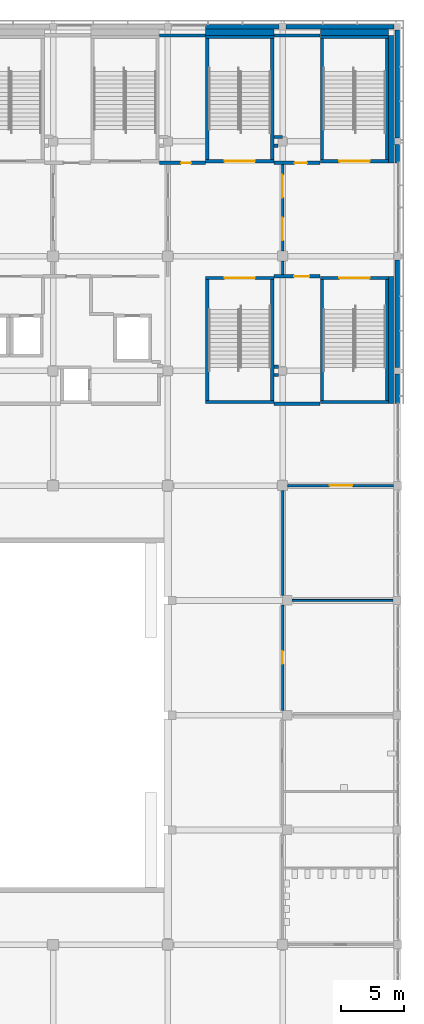
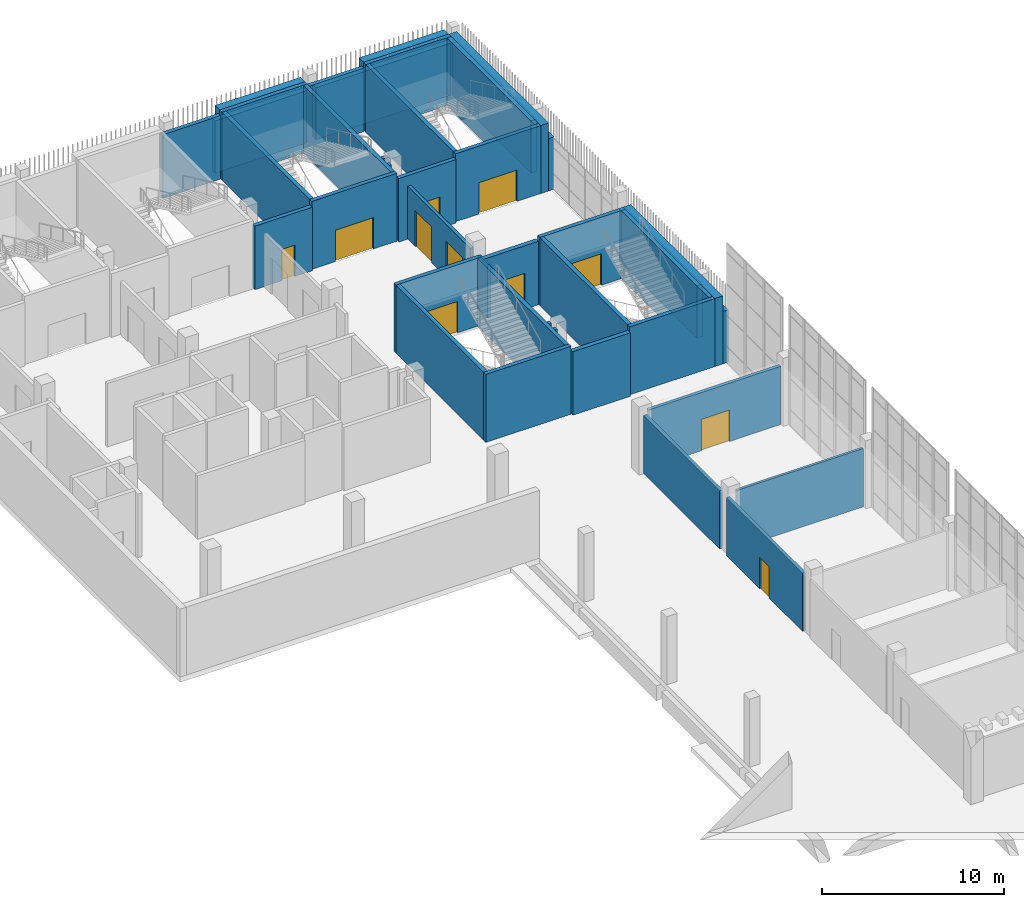
# One storey, part 88 of 126: 42 walls, 11 doors, 11 openings.
"""IFC4 building model written with IfcOpenShell, lengths in metres."""

from ifc_helpers import new_model, si_unit, direction, frame, frame_2d, origin, place, context, subcontext, project, spatial, rectangle, extrude, material, layer, layer_set, type_object, element, fill, save


model = new_model("IFC4")

# Units and contexts
model_context = context("Model", 3, precision=1e-05, world=origin(), true_north=direction((0.0, 1.0)))
body_context = subcontext(model_context, "Body", "Model", "MODEL_VIEW")
ifc_project = project(units=[si_unit("LENGTHUNIT", "METRE"), si_unit("AREAUNIT", "SQUARE_METRE"), si_unit("VOLUMEUNIT", "CUBIC_METRE"), si_unit("PLANEANGLEUNIT", "RADIAN"), si_unit("MASSUNIT", "GRAM", prefix="KILO")], contexts=[model_context])

# Site, building, storey
site_placement = place(None, origin())
site = spatial("IfcSite", under=ifc_project, at=site_placement, CompositionType="ELEMENT")
building_placement = place(site_placement, origin())
building = spatial("IfcBuilding", under=site, at=building_placement, Name="Shirokan Park Arena", CompositionType="ELEMENT")
storey_placement = place(building_placement, frame((0.0, 0.0, 6.3701171875)))
storey = spatial("IfcBuildingStorey", under=building, at=storey_placement, Name="L01", CompositionType="ELEMENT", Elevation=6.3701171875)

# Wall, opening, door
ifc_material_1 = material(Name="Plaster")
ifc_layer_1 = layer(ifc_material_1, 0.014892578125, Name="Plaster")
ifc_material_2 = material(Name="Concrete blockwork", Category="masonry")
ifc_layer_2 = layer(ifc_material_2, 0.219970703125, Name="Concrete blockwork 220")
ifc_layer_3 = layer(ifc_material_1, 0.014892578125, Name="Plaster")
ifc_layer_set_1 = layer_set([ifc_layer_1, ifc_layer_2, ifc_layer_3], Name="Plaster + Concrete blockwork 220")
wall_type_1 = type_object("IfcWallType", Name="Compartment wall 250", PredefinedType="SOLIDWALL", material=ifc_layer_set_1)
wall_1_placement = place(storey_placement, frame((126.72998046875, 98.39990234375, 0.0), z_axis=(0.0, 0.0, 1.0), x_axis=(1.0, 0.0, 0.0)))
wall_1 = element("IfcWall", 1, at=wall_1_placement, inside=storey, type_object=wall_type_1, Name="Compartment wall 250 L01", PredefinedType="SOLIDWALL", context=body_context, shape_type="SweptSolid", body=[
    extrude(rectangle(XDim=3.64013671875, YDim=0.25, at=frame_2d((1.820068359375, 0.0))), origin(), (0.0, 0.0, 1.0), 4.25),
])
opening_1_placement = place(wall_1_placement, frame((1.719970703125, 0.0, 0.0)))
opening_1 = element("IfcOpeningElement", 2, at=opening_1_placement, cuts=wall_1, Name="Opening D-1021", PredefinedType="OPENING", context=body_context, shape_type="SweptSolid", body=[
    extrude(rectangle(XDim=0.800048828125, YDim=2.10009765625, at=frame_2d((0.39990234375, 1.050048828125))), frame((0.0, 0.135009765625, 0.0), z_axis=(0.0, -1.0, 0.0), x_axis=(1.0, 0.0, 0.0)), (0.0, 0.0, 1.0), 0.27001953125),
])
ifc_material_3 = material(Name="Timber door set, fire resisting", Category="wood")
door_type_1 = type_object("IfcDoorType", Name="Cleaner store door 800 x 2100", OperationType="SINGLE_SWING_LEFT", PredefinedType="DOOR", material=ifc_material_3)
door_1_placement = place(opening_1_placement, origin())
door_1 = element("IfcDoor", 3, at=door_1_placement, inside=storey, type_object=door_type_1, Name="Door to Cleaner's Store 1.31 D-1021", OperationType="SINGLE_SWING_RIGHT", OverallHeight=2.10009765625, OverallWidth=0.800048828125, PredefinedType="DOOR", context=body_context, shape_type="SweptSolid", body=[
    extrude(rectangle(XDim=0.800048828125, YDim=2.10009765625, at=frame_2d((0.39990234375, 1.050048828125))), frame((0.0, 0.02490234375, 0.0), z_axis=(0.0, -1.0, 0.0), x_axis=(1.0, 0.0, 0.0)), (0.0, 0.0, 1.0), 0.050048828125),
])
fill(opening_1, door_1)

# Wall
wall_2_placement = place(storey_placement, frame((126.72998046875, 108.5, 0.0), z_axis=(0.0, 0.0, 1.0), x_axis=(1.0, 0.0, 0.0)))
element("IfcWall", 4, at=wall_2_placement, inside=storey, type_object=wall_type_1, Name="Compartment wall 250 L01", PredefinedType="SOLIDWALL", context=body_context, shape_type="SweptSolid", body=[
    extrude(rectangle(XDim=3.64013671875, YDim=0.25, at=frame_2d((1.820068359375, 0.0))), origin(), (0.0, 0.0, 1.0), 4.25),
])

# Wall, opening, door
wall_3_placement = place(storey_placement, frame((135.830078125, 98.39990234375, 0.0), z_axis=(0.0, 0.0, 1.0), x_axis=(1.0, 0.0, 0.0)))
wall_3 = element("IfcWall", 5, at=wall_3_placement, inside=storey, type_object=wall_type_1, Name="Compartment wall 250 L01", PredefinedType="SOLIDWALL", context=body_context, shape_type="SweptSolid", body=[
    extrude(rectangle(XDim=3.639892578125, YDim=0.25, at=frame_2d((1.81982421875, 0.0))), origin(), (0.0, 0.0, 1.0), 4.25),
])
opening_2_placement = place(wall_3_placement, frame((1.6201171875, 0.0, 0.0)))
opening_2 = element("IfcOpeningElement", 6, at=opening_2_placement, cuts=wall_3, Name="Opening D-1020", PredefinedType="OPENING", context=body_context, shape_type="SweptSolid", body=[
    extrude(rectangle(XDim=1.0, YDim=2.10009765625, at=frame_2d((0.5, 1.050048828125))), frame((0.0, 0.135009765625, 0.0), z_axis=(0.0, -1.0, 0.0), x_axis=(1.0, 0.0, 0.0)), (0.0, 0.0, 1.0), 0.27001953125),
])
door_type_2 = type_object("IfcDoorType", Name="Door 1000 x 2100", OperationType="SINGLE_SWING_LEFT", PredefinedType="DOOR", material=ifc_material_3)
door_2_placement = place(opening_2_placement, origin())
door_2 = element("IfcDoor", 7, at=door_2_placement, inside=storey, type_object=door_type_2, Name="Door to First Aid Store 1.30 D-1020", OperationType="SINGLE_SWING_RIGHT", OverallHeight=2.10009765625, OverallWidth=1.0, PredefinedType="DOOR", context=body_context, shape_type="SweptSolid", body=[
    extrude(rectangle(XDim=1.0, YDim=2.10009765625, at=frame_2d((0.5, 1.050048828125))), frame((0.0, 0.02490234375, 0.0), z_axis=(0.0, -1.0, 0.0), x_axis=(1.0, 0.0, 0.0)), (0.0, 0.0, 1.0), 0.050048828125),
])
fill(opening_2, door_2)

# Walls
wall_4_placement = place(storey_placement, frame((135.830078125, 99.75, 0.0), z_axis=(0.0, 0.0, 1.0), x_axis=(1.0, 0.0, 0.0)))
element("IfcWall", 8, at=wall_4_placement, inside=storey, type_object=wall_type_1, Name="Compartment wall 250 L01", PredefinedType="SOLIDWALL", context=body_context, shape_type="SweptSolid", body=[
    extrude(rectangle(XDim=0.31982421875, YDim=0.25, at=frame_2d((0.159912109375, 0.0))), origin(), (0.0, 0.0, 1.0), 4.25),
])
wall_5_placement = place(storey_placement, frame((135.830078125, 100.449951171875, 0.0), z_axis=(0.0, 0.0, 1.0), x_axis=(1.0, 0.0, 0.0)))
element("IfcWall", 9, at=wall_5_placement, inside=storey, type_object=wall_type_1, Name="Compartment wall 250 L01", PredefinedType="SOLIDWALL", context=body_context, shape_type="SweptSolid", body=[
    extrude(rectangle(XDim=0.669921875, YDim=0.25, at=frame_2d((0.3349609375, 0.0))), origin(), (0.0, 0.0, 1.0), 4.25),
])
wall_6_placement = place(storey_placement, frame((135.830078125, 108.5, 0.0), z_axis=(0.0, 0.0, 1.0), x_axis=(1.0, 0.0, 0.0)))
element("IfcWall", 10, at=wall_6_placement, inside=storey, type_object=wall_type_1, Name="Compartment wall 250 L01", PredefinedType="SOLIDWALL", context=body_context, shape_type="SweptSolid", body=[
    extrude(rectangle(XDim=3.639892578125, YDim=0.25, at=frame_2d((1.81982421875, 0.0))), origin(), (0.0, 0.0, 1.0), 4.25),
])
ifc_material_4 = material(Name="Gypsum board")
ifc_layer_4 = layer(ifc_material_4, 0.02490234375, Name="Gypsum board, two layers")
ifc_material_5 = material(Name="Mineral wool insulation")
ifc_layer_5 = layer(ifc_material_5, 0.14990234375, Name="Mineral wool insulation")
ifc_layer_6 = layer(ifc_material_4, 0.02490234375, Name="Gypsum board, two layers")
ifc_layer_set_2 = layer_set([ifc_layer_4, ifc_layer_5, ifc_layer_6], Name="Gypsum board, two layers + Mineral wool insulation")
wall_type_2 = type_object("IfcWallType", Name="Corridor wall 200", PredefinedType="PARTITIONING", material=ifc_layer_set_2)
wall_7_placement = place(storey_placement, frame((136.5, 89.53759765625, 0.0), z_axis=(0.0, 0.0, 1.0), x_axis=(0.0, 1.0, 0.0)))
element("IfcWall", 11, at=wall_7_placement, inside=storey, type_object=wall_type_2, Name="Corridor wall 200 L01", PredefinedType="PARTITIONING", context=body_context, shape_type="SweptSolid", body=[
    extrude(rectangle(XDim=1.0625, YDim=0.199951171875, at=frame_2d((0.53125, 0.0))), origin(), (0.0, 0.0, 1.0), 3.5498046875),
])

# Wall, openings, doors
wall_8_placement = place(storey_placement, frame((136.5, 91.39990234375, 0.0), z_axis=(0.0, 0.0, 1.0), x_axis=(0.0, 1.0, 0.0)))
wall_8 = element("IfcWall", 12, at=wall_8_placement, inside=storey, type_object=wall_type_2, Name="Corridor wall 200 L01", PredefinedType="PARTITIONING", context=body_context, shape_type="SweptSolid", body=[
    extrude(rectangle(XDim=6.875, YDim=0.199951171875, at=frame_2d((3.4375, 0.0))), origin(), (0.0, 0.0, 1.0), 3.5498046875),
])
opening_3_placement = place(wall_8_placement, frame((0.85009765625, 0.0, 0.0)))
opening_3 = element("IfcOpeningElement", 13, at=opening_3_placement, cuts=wall_8, Name="Opening D-1073", PredefinedType="OPENING", context=body_context, shape_type="SweptSolid", body=[
    extrude(rectangle(XDim=1.800048828125, YDim=2.39990234375, at=frame_2d((0.89990234375, 1.199951171875))), frame((0.0, 0.10986328125, 0.0), z_axis=(0.0, -1.0, 0.0), x_axis=(1.0, 0.0, 0.0)), (0.0, 0.0, 1.0), 0.219970703125),
])
opening_4_placement = place(wall_8_placement, frame((4.25, 0.0, 0.0)))
opening_4 = element("IfcOpeningElement", 14, at=opening_4_placement, cuts=wall_8, Name="Opening D-1074", PredefinedType="OPENING", context=body_context, shape_type="SweptSolid", body=[
    extrude(rectangle(XDim=1.800048828125, YDim=2.39990234375, at=frame_2d((0.89990234375, 1.199951171875))), frame((0.0, 0.10986328125, 0.0), z_axis=(0.0, -1.0, 0.0), x_axis=(1.0, 0.0, 0.0)), (0.0, 0.0, 1.0), 0.219970703125),
])
ifc_material_6 = material(Name="Glazed steel door set, fire resisting", Category="steel")
door_type_3 = type_object("IfcDoorType", Name="Lift lobby door 1800 x 2400", OperationType="DOUBLE_DOOR_SINGLE_SWING", PredefinedType="DOOR", material=ifc_material_6)
door_3_placement = place(opening_3_placement, origin())
door_3 = element("IfcDoor", 15, at=door_3_placement, inside=storey, type_object=door_type_3, Name="Door between Food Court 3.1.1 and First Aid Lobby 3.1.2 D-1073", OperationType="DOUBLE_DOOR_SINGLE_SWING", OverallHeight=2.39990234375, OverallWidth=1.800048828125, PredefinedType="DOOR", context=body_context, shape_type="SweptSolid", body=[
    extrude(rectangle(XDim=1.800048828125, YDim=2.39990234375, at=frame_2d((0.89990234375, 1.199951171875))), frame((0.0, 0.02490234375, 0.0), z_axis=(0.0, -1.0, 0.0), x_axis=(1.0, 0.0, 0.0)), (0.0, 0.0, 1.0), 0.050048828125),
])
fill(opening_3, door_3)
door_4_placement = place(opening_4_placement, origin())
door_4 = element("IfcDoor", 16, at=door_4_placement, inside=storey, type_object=door_type_3, Name="Door between Food Court 3.1.1 and First Aid Lobby 3.1.2 D-1074", OperationType="DOUBLE_DOOR_SINGLE_SWING", OverallHeight=2.39990234375, OverallWidth=1.800048828125, PredefinedType="DOOR", context=body_context, shape_type="SweptSolid", body=[
    extrude(rectangle(XDim=1.800048828125, YDim=2.39990234375, at=frame_2d((0.89990234375, 1.199951171875))), frame((0.0, 0.02490234375, 0.0), z_axis=(0.0, -1.0, 0.0), x_axis=(1.0, 0.0, 0.0)), (0.0, 0.0, 1.0), 0.050048828125),
])
fill(opening_4, door_4)

# Walls
ifc_material_7 = material(Name="Cedar cladding")
ifc_layer_7 = layer(ifc_material_7, 0.030029296875, Name="Cedar cladding")
ifc_layer_8 = layer(ifc_material_5, 0.10009765625, Name="Mineral wool insulation")
ifc_material_8 = material(Name="Concrete C35", Category="concrete")
ifc_layer_9 = layer(ifc_material_8, 0.199951171875, Name="Concrete C35")
ifc_material_9 = material(Name="Gypsum board lining")
ifc_layer_10 = layer(ifc_material_9, 0.02001953125, Name="Gypsum board lining")
ifc_layer_set_3 = layer_set([ifc_layer_7, ifc_layer_8, ifc_layer_9, ifc_layer_10], Name="Cedar cladding + Mineral wool insulation + Concrete C35 + Gypsum board lining")
wall_type_3 = type_object("IfcWallType", Name="Insulated tower wall 350", PredefinedType="SOLIDWALL", material=ifc_layer_set_3)
wall_9_placement = place(storey_placement, frame((145.574951171875, 79.300048828125, 0.0), z_axis=(0.0, 0.0, 1.0), x_axis=(0.0, 1.0, 0.0)))
element("IfcWall", 17, at=wall_9_placement, inside=storey, type_object=wall_type_3, Name="East facade wall bay 9 L01", PredefinedType="SOLIDWALL", context=body_context, shape_type="SweptSolid", body=[
    extrude(rectangle(XDim=2.349853515625, YDim=0.35009765625, at=frame_2d((1.1748046875, 0.0))), origin(), (0.0, 0.0, 1.0), 3.5),
])
wall_10_placement = place(storey_placement, frame((145.574951171875, 82.14990234375, 0.0), z_axis=(0.0, 0.0, 1.0), x_axis=(0.0, 1.0, 0.0)))
element("IfcWall", 18, at=wall_10_placement, inside=storey, type_object=wall_type_3, Name="East facade wall bay 10 L01", PredefinedType="SOLIDWALL", context=body_context, shape_type="SweptSolid", body=[
    extrude(rectangle(XDim=8.550048828125, YDim=0.35009765625, at=frame_2d((4.27490234375, 0.0))), origin(), (0.0, 0.0, 1.0), 3.5),
])
wall_11_placement = place(storey_placement, frame((145.574951171875, 98.39990234375, 0.0), z_axis=(0.0, 0.0, 1.0), x_axis=(0.0, 1.0, 0.0)))
element("IfcWall", 19, at=wall_11_placement, inside=storey, type_object=wall_type_3, Name="East facade wall bay 11 L01", PredefinedType="SOLIDWALL", context=body_context, shape_type="SweptSolid", body=[
    extrude(rectangle(XDim=1.4501953125, YDim=0.35009765625, at=frame_2d((0.72509765625, 0.0))), origin(), (0.0, 0.0, 1.0), 3.5),
])
wall_12_placement = place(storey_placement, frame((145.574951171875, 100.35009765625, 0.0), z_axis=(0.0, 0.0, 1.0), x_axis=(0.0, 1.0, 0.0)))
element("IfcWall", 20, at=wall_12_placement, inside=storey, type_object=wall_type_3, Name="East facade wall bay 12 L01", PredefinedType="SOLIDWALL", context=body_context, shape_type="SweptSolid", body=[
    extrude(rectangle(XDim=8.599853515625, YDim=0.35009765625, at=frame_2d((4.2998046875, 0.0))), origin(), (0.0, 0.0, 1.0), 3.5),
])
wall_13_placement = place(storey_placement, frame((145.35009765625, 109.175048828125, 0.0), z_axis=(0.0, 0.0, 1.0), x_axis=(-1.0, 0.0, 0.0)))
element("IfcWall", 21, at=wall_13_placement, inside=storey, type_object=wall_type_3, Name="North facade wall bay 1 L01", PredefinedType="SOLIDWALL", context=body_context, shape_type="SweptSolid", body=[
    extrude(rectangle(XDim=8.5751953125, YDim=0.35009765625, at=frame_2d((4.28759765625, 0.0))), origin(), (0.0, 0.0, 1.0), 3.5),
])
wall_14_placement = place(storey_placement, frame((136.22509765625, 109.175048828125, 0.0), z_axis=(0.0, 0.0, 1.0), x_axis=(-1.0, 0.0, 0.0)))
element("IfcWall", 22, at=wall_14_placement, inside=storey, type_object=wall_type_3, Name="North facade wall bay 2 L01", PredefinedType="SOLIDWALL", context=body_context, shape_type="SweptSolid", body=[
    extrude(rectangle(XDim=5.8251953125, YDim=0.35009765625, at=frame_2d((2.91259765625, 0.0))), origin(), (0.0, 0.0, 1.0), 3.5),
])
ifc_layer_11 = layer(ifc_material_8, 0.14990234375)
ifc_layer_set_4 = layer_set([ifc_layer_11], Name="Concrete C35 150 mm")
wall_type_4 = type_object("IfcWallType", Name="Pavilion RC wall 150", PredefinedType="SOLIDWALL", material=ifc_layer_set_4)
wall_15_placement = place(storey_placement, frame((137.25, 63.699951171875, 0.0), z_axis=(0.0, 0.0, 1.0), x_axis=(1.0, 0.0, 0.0)))
element("IfcWall", 23, at=wall_15_placement, inside=storey, type_object=wall_type_4, Name="Room partition 150 L01", PredefinedType="PARTITIONING", context=body_context, shape_type="SweptSolid", body=[
    extrude(rectangle(XDim=8.0, YDim=0.14990234375, at=frame_2d((4.0, 0.0))), origin(), (0.0, 0.0, 1.0), 3.89990234375),
])

# Wall, opening, door
ifc_layer_12 = layer(ifc_material_8, 0.199951171875)
ifc_layer_set_5 = layer_set([ifc_layer_12], Name="Concrete C35 200 mm")
wall_type_5 = type_object("IfcWallType", Name="Pavilion RC wall 200", PredefinedType="SOLIDWALL", material=ifc_layer_set_5)
wall_16_placement = place(storey_placement, frame((136.5, 63.324951171875, 0.0), z_axis=(0.0, 0.0, 1.0), x_axis=(0.0, -1.0, 0.0)))
wall_16 = element("IfcWall", 24, at=wall_16_placement, inside=storey, type_object=wall_type_5, Name="Corridor wall 200 L01", PredefinedType="PARTITIONING", context=body_context, shape_type="SweptSolid", body=[
    extrude(rectangle(XDim=8.349853515625, YDim=0.199951171875, at=frame_2d((4.1748046875, 0.0))), origin(), (0.0, 0.0, 1.0), 3.89990234375),
])
opening_5_placement = place(wall_16_placement, frame((3.64990234375, 0.0, 0.0)))
opening_5 = element("IfcOpeningElement", 25, at=opening_5_placement, cuts=wall_16, Name="Opening D-1046", PredefinedType="OPENING", context=body_context, shape_type="SweptSolid", body=[
    extrude(rectangle(XDim=1.0, YDim=2.10009765625, at=frame_2d((0.5, 1.050048828125))), frame((0.0, 0.10986328125, 0.0), z_axis=(0.0, -1.0, 0.0), x_axis=(1.0, 0.0, 0.0)), (0.0, 0.0, 1.0), 0.219970703125),
])
door_5_placement = place(opening_5_placement, origin())
door_5 = element("IfcDoor", 26, at=door_5_placement, inside=storey, type_object=door_type_2, Name="Door to Ticket Office 1.24 D-1046", OperationType="SINGLE_SWING_RIGHT", OverallHeight=2.10009765625, OverallWidth=1.0, PredefinedType="DOOR", context=body_context, shape_type="SweptSolid", body=[
    extrude(rectangle(XDim=1.0, YDim=2.10009765625, at=frame_2d((0.5, 1.050048828125))), frame((0.0, 0.02490234375, 0.0), z_axis=(0.0, -1.0, 0.0), x_axis=(1.0, 0.0, 0.0)), (0.0, 0.0, 1.0), 0.050048828125),
])
fill(opening_5, door_5)

# Wall
wall_17_placement = place(storey_placement, frame((136.5, 72.39990234375, 0.0), z_axis=(0.0, 0.0, 1.0), x_axis=(0.0, -1.0, 0.0)))
element("IfcWall", 27, at=wall_17_placement, inside=storey, type_object=wall_type_5, Name="Corridor wall 200 L01", PredefinedType="PARTITIONING", context=body_context, shape_type="SweptSolid", body=[
    extrude(rectangle(XDim=8.324951171875, YDim=0.199951171875, at=frame_2d((4.16259765625, 0.0))), origin(), (0.0, 0.0, 1.0), 3.89990234375),
])

# Wall, opening, door
wall_18_placement = place(storey_placement, frame((145.27490234375, 72.800048828125, 0.0), z_axis=(0.0, 0.0, 1.0), x_axis=(-1.0, 0.0, 0.0)))
wall_18 = element("IfcWall", 28, at=wall_18_placement, inside=storey, type_object=wall_type_5, Name="Corridor wall 200 L01", PredefinedType="PARTITIONING", context=body_context, shape_type="SweptSolid", body=[
    extrude(rectangle(XDim=8.375, YDim=0.199951171875, at=frame_2d((4.1875, 0.0))), origin(), (0.0, 0.0, 1.0), 3.89990234375),
])
opening_6_placement = place(wall_18_placement, frame((3.25, 0.0, 0.0)))
opening_6 = element("IfcOpeningElement", 29, at=opening_6_placement, cuts=wall_18, Name="Opening D-1047", PredefinedType="OPENING", context=body_context, shape_type="SweptSolid", body=[
    extrude(rectangle(XDim=1.800048828125, YDim=2.10009765625, at=frame_2d((0.89990234375, 1.050048828125))), frame((0.0, 0.10986328125, 0.0), z_axis=(0.0, -1.0, 0.0), x_axis=(1.0, 0.0, 0.0)), (0.0, 0.0, 1.0), 0.219970703125),
])
door_type_4 = type_object("IfcDoorType", Name="Double door 1800 x 2100", OperationType="DOUBLE_DOOR_SINGLE_SWING", PredefinedType="DOOR", material=ifc_material_3)
door_6_placement = place(opening_6_placement, origin())
door_6 = element("IfcDoor", 30, at=door_6_placement, inside=storey, type_object=door_type_4, Name="Door to Concession Stand 1.25 D-1047", OperationType="DOUBLE_DOOR_SINGLE_SWING", OverallHeight=2.10009765625, OverallWidth=1.800048828125, PredefinedType="DOOR", context=body_context, shape_type="SweptSolid", body=[
    extrude(rectangle(XDim=1.800048828125, YDim=2.10009765625, at=frame_2d((0.89990234375, 1.050048828125))), frame((0.0, 0.02490234375, 0.0), z_axis=(0.0, -1.0, 0.0), x_axis=(1.0, 0.0, 0.0)), (0.0, 0.0, 1.0), 0.050048828125),
])
fill(opening_6, door_6)

# Walls
ifc_layer_13 = layer(ifc_material_1, 0.012451171875, Name="Plaster")
ifc_layer_14 = layer(ifc_material_2, 0.25, Name="Concrete blockwork 250")
ifc_layer_15 = layer(ifc_material_1, 0.012451171875, Name="Plaster")
ifc_layer_set_6 = layer_set([ifc_layer_13, ifc_layer_14, ifc_layer_15], Name="Plaster + Concrete blockwork 250")
wall_type_6 = type_object("IfcWallType", Name="Plant room wall 275", PredefinedType="SOLIDWALL", material=ifc_layer_set_6)
for number, where, z_axis, x_axis, name in (
    (31, (135.830078125, 81.574951171875, 0.0), (0.0, 0.0, 1.0), (1.0, 0.0, 0.0), "Plant room wall 275 L01"),
    (32, (136.175048828125, 82.22509765625, 0.0), (0.0, 0.0, 1.0), (-1.0, 0.0, 0.0), "Plant room wall 275 L01"),
):
    element("IfcWall", number, at=place(storey_placement, frame(where, z_axis=z_axis, x_axis=x_axis)), inside=storey, type_object=wall_type_6, Name=name, PredefinedType="SOLIDWALL", context=body_context, shape_type="SweptSolid", body=[
        extrude(rectangle(XDim=0.344970703125, YDim=0.27490234375, at=frame_2d((0.17236328125, 0.0))), origin(), (0.0, 0.0, 1.0), 4.25),
    ])

# Wall, opening, door
wall_19_placement = place(storey_placement, frame((135.830078125, 89.39990234375, 0.0), z_axis=(0.0, 0.0, 1.0), x_axis=(1.0, 0.0, 0.0)))
wall_19 = element("IfcWall", 33, at=wall_19_placement, inside=storey, type_object=wall_type_6, Name="Plant room wall 275 L01", PredefinedType="SOLIDWALL", context=body_context, shape_type="SweptSolid", body=[
    extrude(rectangle(XDim=3.639892578125, YDim=0.27490234375, at=frame_2d((1.81982421875, 0.0))), origin(), (0.0, 0.0, 1.0), 4.25),
])
opening_7_placement = place(wall_19_placement, frame((1.590087890625, 0.0, 0.0)))
opening_7 = element("IfcOpeningElement", 34, at=opening_7_placement, cuts=wall_19, Name="Opening D-1017", PredefinedType="OPENING", context=body_context, shape_type="SweptSolid", body=[
    extrude(rectangle(XDim=1.199951171875, YDim=2.39990234375, at=frame_2d((0.60009765625, 1.199951171875))), frame((0.0, 0.1474609375, 0.0), z_axis=(0.0, -1.0, 0.0), x_axis=(1.0, 0.0, 0.0)), (0.0, 0.0, 1.0), 0.294921875),
])
ifc_material_10 = material(Name="Louvred steel door set, fire resisting", Category="steel")
door_type_5 = type_object("IfcDoorType", Name="Plant room door 1200 x 2400", OperationType="SINGLE_SWING_LEFT", PredefinedType="DOOR", material=ifc_material_10)
door_7_placement = place(opening_7_placement, origin())
door_7 = element("IfcDoor", 35, at=door_7_placement, inside=storey, type_object=door_type_5, Name="Door to Communications Room 1.37 D-1017", OperationType="SINGLE_SWING_RIGHT", OverallHeight=2.39990234375, OverallWidth=1.199951171875, PredefinedType="DOOR", context=body_context, shape_type="SweptSolid", body=[
    extrude(rectangle(XDim=1.199951171875, YDim=2.39990234375, at=frame_2d((0.60009765625, 1.199951171875))), frame((0.0, 0.02490234375, 0.0), z_axis=(0.0, -1.0, 0.0), x_axis=(1.0, 0.0, 0.0)), (0.0, 0.0, 1.0), 0.050048828125),
])
fill(opening_7, door_7)

# Wall
wall_20_placement = place(storey_placement, frame((139.469970703125, 79.300048828125, 0.0), z_axis=(0.0, 0.0, 1.0), x_axis=(-1.0, 0.0, 0.0)))
element("IfcWall", 36, at=wall_20_placement, inside=storey, type_object=wall_type_6, Name="Plant room wall 275 L01", PredefinedType="SOLIDWALL", context=body_context, shape_type="SweptSolid", body=[
    extrude(rectangle(XDim=3.639892578125, YDim=0.27490234375, at=frame_2d((1.81982421875, 0.0))), origin(), (0.0, 0.0, 1.0), 4.25),
])

# Wall, opening, door
ifc_material_11 = material(Name="Concrete C40/50", Category="concrete")
ifc_layer_16 = layer(ifc_material_11, 0.25)
ifc_layer_set_7 = layer_set([ifc_layer_16], Name="Concrete C40/50 250 mm")
wall_type_7 = type_object("IfcWallType", Name="RC shear wall 250", PredefinedType="SHEAR", material=ifc_layer_set_7)
wall_21_placement = place(storey_placement, frame((144.89990234375, 98.52490234375, 0.0), z_axis=(0.0, 0.0, 1.0), x_axis=(-1.0, 0.0, 0.0)))
wall_21 = element("IfcWall", 37, at=wall_21_placement, inside=storey, type_object=wall_type_7, Name="Shaft wall Exit Stair 3.A S L01", PredefinedType="SHEAR", context=body_context, shape_type="SweptSolid", body=[
    extrude(rectangle(XDim=5.39990234375, YDim=0.25, at=frame_2d((2.699951171875, 0.0))), origin(), (0.0, 0.0, 1.0), 4.5498046875),
])
opening_8_placement = place(wall_21_placement, frame((1.5, 0.0, 0.0)))
opening_8 = element("IfcOpeningElement", 38, at=opening_8_placement, cuts=wall_21, Name="Opening D-1118", PredefinedType="OPENING", context=body_context, shape_type="SweptSolid", body=[
    extrude(rectangle(XDim=2.39990234375, YDim=2.10009765625, at=frame_2d((1.199951171875, 1.050048828125))), frame((0.0, 0.135009765625, 0.0), z_axis=(0.0, -1.0, 0.0), x_axis=(1.0, 0.0, 0.0)), (0.0, 0.0, 1.0), 0.27001953125),
])
ifc_material_12 = material(Name="Steel door set, fire resisting", Category="steel")
door_type_6 = type_object("IfcDoorType", Name="Stair door 2400 x 2100", OperationType="DOUBLE_DOOR_SINGLE_SWING", PredefinedType="DOOR", material=ifc_material_12)
door_8_placement = place(opening_8_placement, origin())
door_8 = element("IfcDoor", 39, at=door_8_placement, inside=storey, type_object=door_type_6, Name="Stair door Exit Stair 3.A D-1118", OperationType="DOUBLE_DOOR_SINGLE_SWING", OverallHeight=2.10009765625, OverallWidth=2.39990234375, PredefinedType="DOOR", context=body_context, shape_type="SweptSolid", body=[
    extrude(rectangle(XDim=2.39990234375, YDim=2.10009765625, at=frame_2d((1.199951171875, 1.050048828125))), frame((0.0, 0.02490234375, 0.0), z_axis=(0.0, -1.0, 0.0), x_axis=(1.0, 0.0, 0.0)), (0.0, 0.0, 1.0), 0.050048828125),
])
fill(opening_8, door_8)

# Walls
wall_22_placement = place(storey_placement, frame((144.89990234375, 108.375, 0.0), z_axis=(0.0, 0.0, 1.0), x_axis=(-1.0, 0.0, 0.0)))
element("IfcWall", 40, at=wall_22_placement, inside=storey, type_object=wall_type_7, Name="Shaft wall Exit Stair 3.A N L01", PredefinedType="SHEAR", context=body_context, shape_type="SweptSolid", body=[
    extrude(rectangle(XDim=5.39990234375, YDim=0.25, at=frame_2d((2.699951171875, 0.0))), origin(), (0.0, 0.0, 1.0), 4.5498046875),
])
for number, where, z_axis, x_axis, name in (
    (41, (139.625, 108.25, 0.0), (0.0, 0.0, 1.0), (0.0, -1.0, 0.0), "Shaft wall Exit Stair 3.A W L01"),
    (42, (144.77490234375, 108.25, 0.0), (0.0, 0.0, 1.0), (0.0, -1.0, 0.0), "Shaft wall Exit Stair 3.A E L01"),
):
    element("IfcWall", number, at=place(storey_placement, frame(where, z_axis=z_axis, x_axis=x_axis)), inside=storey, type_object=wall_type_7, Name=name, PredefinedType="SHEAR", context=body_context, shape_type="SweptSolid", body=[
        extrude(rectangle(XDim=9.60009765625, YDim=0.25, at=frame_2d((4.800048828125, 0.0))), origin(), (0.0, 0.0, 1.0), 4.5498046875),
    ])

# Wall, opening, door
wall_23_placement = place(storey_placement, frame((135.800048828125, 98.52490234375, 0.0), z_axis=(0.0, 0.0, 1.0), x_axis=(-1.0, 0.0, 0.0)))
wall_23 = element("IfcWall", 43, at=wall_23_placement, inside=storey, type_object=wall_type_7, Name="Shaft wall Exit Stair 3.B S L01", PredefinedType="SHEAR", context=body_context, shape_type="SweptSolid", body=[
    extrude(rectangle(XDim=5.400146484375, YDim=0.25, at=frame_2d((2.7001953125, 0.0))), origin(), (0.0, 0.0, 1.0), 4.5498046875),
])
opening_9_placement = place(wall_23_placement, frame((1.5, 0.0, 0.0)))
opening_9 = element("IfcOpeningElement", 44, at=opening_9_placement, cuts=wall_23, Name="Opening D-1119", PredefinedType="OPENING", context=body_context, shape_type="SweptSolid", body=[
    extrude(rectangle(XDim=2.39990234375, YDim=2.10009765625, at=frame_2d((1.199951171875, 1.050048828125))), frame((0.0, 0.135009765625, 0.0), z_axis=(0.0, -1.0, 0.0), x_axis=(1.0, 0.0, 0.0)), (0.0, 0.0, 1.0), 0.27001953125),
])
door_9_placement = place(opening_9_placement, origin())
door_9 = element("IfcDoor", 45, at=door_9_placement, inside=storey, type_object=door_type_6, Name="Stair door Exit Stair 3.B D-1119", OperationType="DOUBLE_DOOR_SINGLE_SWING", OverallHeight=2.10009765625, OverallWidth=2.39990234375, PredefinedType="DOOR", context=body_context, shape_type="SweptSolid", body=[
    extrude(rectangle(XDim=2.39990234375, YDim=2.10009765625, at=frame_2d((1.199951171875, 1.050048828125))), frame((0.0, 0.02490234375, 0.0), z_axis=(0.0, -1.0, 0.0), x_axis=(1.0, 0.0, 0.0)), (0.0, 0.0, 1.0), 0.050048828125),
])
fill(opening_9, door_9)

# Walls
wall_24_placement = place(storey_placement, frame((135.800048828125, 108.375, 0.0), z_axis=(0.0, 0.0, 1.0), x_axis=(-1.0, 0.0, 0.0)))
element("IfcWall", 46, at=wall_24_placement, inside=storey, type_object=wall_type_7, Name="Shaft wall Exit Stair 3.B N L01", PredefinedType="SHEAR", context=body_context, shape_type="SweptSolid", body=[
    extrude(rectangle(XDim=5.400146484375, YDim=0.25, at=frame_2d((2.7001953125, 0.0))), origin(), (0.0, 0.0, 1.0), 4.5498046875),
])
for number, where, z_axis, x_axis, name in (
    (47, (130.52490234375, 108.25, 0.0), (0.0, 0.0, 1.0), (0.0, -1.0, 0.0), "Shaft wall Exit Stair 3.B W L01"),
    (48, (135.675048828125, 108.25, 0.0), (0.0, 0.0, 1.0), (0.0, -1.0, 0.0), "Shaft wall Exit Stair 3.B E L01"),
):
    element("IfcWall", number, at=place(storey_placement, frame(where, z_axis=z_axis, x_axis=x_axis)), inside=storey, type_object=wall_type_7, Name=name, PredefinedType="SHEAR", context=body_context, shape_type="SweptSolid", body=[
        extrude(rectangle(XDim=9.60009765625, YDim=0.25, at=frame_2d((4.800048828125, 0.0))), origin(), (0.0, 0.0, 1.0), 4.5498046875),
    ])
wall_25_placement = place(storey_placement, frame((144.89990234375, 79.425048828125, 0.0), z_axis=(0.0, 0.0, 1.0), x_axis=(-1.0, 0.0, 0.0)))
element("IfcWall", 49, at=wall_25_placement, inside=storey, type_object=wall_type_7, Name="Shaft wall Exit Stair 3.E S L01", PredefinedType="SHEAR", context=body_context, shape_type="SweptSolid", body=[
    extrude(rectangle(XDim=5.39990234375, YDim=0.25, at=frame_2d((2.699951171875, 0.0))), origin(), (0.0, 0.0, 1.0), 4.5498046875),
])

# Wall, opening, door
wall_26_placement = place(storey_placement, frame((144.89990234375, 89.27490234375, 0.0), z_axis=(0.0, 0.0, 1.0), x_axis=(-1.0, 0.0, 0.0)))
wall_26 = element("IfcWall", 50, at=wall_26_placement, inside=storey, type_object=wall_type_7, Name="Shaft wall Exit Stair 3.E N L01", PredefinedType="SHEAR", context=body_context, shape_type="SweptSolid", body=[
    extrude(rectangle(XDim=5.39990234375, YDim=0.25, at=frame_2d((2.699951171875, 0.0))), origin(), (0.0, 0.0, 1.0), 4.5498046875),
])
opening_10_placement = place(wall_26_placement, frame((1.5, 0.0, 0.0)))
opening_10 = element("IfcOpeningElement", 51, at=opening_10_placement, cuts=wall_26, Name="Opening D-1122", PredefinedType="OPENING", context=body_context, shape_type="SweptSolid", body=[
    extrude(rectangle(XDim=2.39990234375, YDim=2.10009765625, at=frame_2d((1.199951171875, 1.050048828125))), frame((0.0, 0.135009765625, 0.0), z_axis=(0.0, -1.0, 0.0), x_axis=(1.0, 0.0, 0.0)), (0.0, 0.0, 1.0), 0.27001953125),
])
door_10_placement = place(opening_10_placement, origin())
door_10 = element("IfcDoor", 52, at=door_10_placement, inside=storey, type_object=door_type_6, Name="Stair door Exit Stair 3.E D-1122", OperationType="DOUBLE_DOOR_SINGLE_SWING", OverallHeight=2.10009765625, OverallWidth=2.39990234375, PredefinedType="DOOR", context=body_context, shape_type="SweptSolid", body=[
    extrude(rectangle(XDim=2.39990234375, YDim=2.10009765625, at=frame_2d((1.199951171875, 1.050048828125))), frame((0.0, 0.02490234375, 0.0), z_axis=(0.0, -1.0, 0.0), x_axis=(1.0, 0.0, 0.0)), (0.0, 0.0, 1.0), 0.050048828125),
])
fill(opening_10, door_10)

# Walls
for number, where, z_axis, x_axis, name in (
    (53, (139.625, 89.14990234375, 0.0), (0.0, 0.0, 1.0), (0.0, -1.0, 0.0), "Shaft wall Exit Stair 3.E W L01"),
    (54, (144.77490234375, 89.14990234375, 0.0), (0.0, 0.0, 1.0), (0.0, -1.0, 0.0), "Shaft wall Exit Stair 3.E E L01"),
):
    element("IfcWall", number, at=place(storey_placement, frame(where, z_axis=z_axis, x_axis=x_axis)), inside=storey, type_object=wall_type_7, Name=name, PredefinedType="SHEAR", context=body_context, shape_type="SweptSolid", body=[
        extrude(rectangle(XDim=9.599853515625, YDim=0.25, at=frame_2d((4.7998046875, 0.0))), origin(), (0.0, 0.0, 1.0), 4.5498046875),
    ])
wall_27_placement = place(storey_placement, frame((135.800048828125, 79.425048828125, 0.0), z_axis=(0.0, 0.0, 1.0), x_axis=(-1.0, 0.0, 0.0)))
element("IfcWall", 55, at=wall_27_placement, inside=storey, type_object=wall_type_7, Name="Shaft wall Exit Stair 3.F S L01", PredefinedType="SHEAR", context=body_context, shape_type="SweptSolid", body=[
    extrude(rectangle(XDim=5.400146484375, YDim=0.25, at=frame_2d((2.7001953125, 0.0))), origin(), (0.0, 0.0, 1.0), 4.5498046875),
])

# Wall, opening, door
wall_28_placement = place(storey_placement, frame((135.800048828125, 89.27490234375, 0.0), z_axis=(0.0, 0.0, 1.0), x_axis=(-1.0, 0.0, 0.0)))
wall_28 = element("IfcWall", 56, at=wall_28_placement, inside=storey, type_object=wall_type_7, Name="Shaft wall Exit Stair 3.F N L01", PredefinedType="SHEAR", context=body_context, shape_type="SweptSolid", body=[
    extrude(rectangle(XDim=5.400146484375, YDim=0.25, at=frame_2d((2.7001953125, 0.0))), origin(), (0.0, 0.0, 1.0), 4.5498046875),
])
opening_11_placement = place(wall_28_placement, frame((1.5, 0.0, 0.0)))
opening_11 = element("IfcOpeningElement", 57, at=opening_11_placement, cuts=wall_28, Name="Opening D-1123", PredefinedType="OPENING", context=body_context, shape_type="SweptSolid", body=[
    extrude(rectangle(XDim=2.39990234375, YDim=2.10009765625, at=frame_2d((1.199951171875, 1.050048828125))), frame((0.0, 0.135009765625, 0.0), z_axis=(0.0, -1.0, 0.0), x_axis=(1.0, 0.0, 0.0)), (0.0, 0.0, 1.0), 0.27001953125),
])
door_11_placement = place(opening_11_placement, origin())
door_11 = element("IfcDoor", 58, at=door_11_placement, inside=storey, type_object=door_type_6, Name="Stair door Exit Stair 3.F D-1123", OperationType="DOUBLE_DOOR_SINGLE_SWING", OverallHeight=2.10009765625, OverallWidth=2.39990234375, PredefinedType="DOOR", context=body_context, shape_type="SweptSolid", body=[
    extrude(rectangle(XDim=2.39990234375, YDim=2.10009765625, at=frame_2d((1.199951171875, 1.050048828125))), frame((0.0, 0.02490234375, 0.0), z_axis=(0.0, -1.0, 0.0), x_axis=(1.0, 0.0, 0.0)), (0.0, 0.0, 1.0), 0.050048828125),
])
fill(opening_11, door_11)

# Walls
for number, where, z_axis, x_axis, name in (
    (59, (130.52490234375, 89.14990234375, 0.0), (0.0, 0.0, 1.0), (0.0, -1.0, 0.0), "Shaft wall Exit Stair 3.F W L01"),
    (60, (135.675048828125, 89.14990234375, 0.0), (0.0, 0.0, 1.0), (0.0, -1.0, 0.0), "Shaft wall Exit Stair 3.F E L01"),
):
    element("IfcWall", number, at=place(storey_placement, frame(where, z_axis=z_axis, x_axis=x_axis)), inside=storey, type_object=wall_type_7, Name=name, PredefinedType="SHEAR", context=body_context, shape_type="SweptSolid", body=[
        extrude(rectangle(XDim=9.599853515625, YDim=0.25, at=frame_2d((4.7998046875, 0.0))), origin(), (0.0, 0.0, 1.0), 4.5498046875),
    ])
ifc_layer_17 = layer(ifc_material_8, 0.5)
ifc_layer_set_8 = layer_set([ifc_layer_17], Name="Concrete C35 500 mm")
wall_type_8 = type_object("IfcWallType", Name="Shaft infill wall 500", PredefinedType="SOLIDWALL", material=ifc_layer_set_8)
wall_29_placement = place(storey_placement, frame((139.5, 108.75, 0.0), z_axis=(0.0, 0.0, 1.0), x_axis=(1.0, 0.0, 0.0)))
element("IfcWall", 61, at=wall_29_placement, inside=storey, type_object=wall_type_8, Name="Shaft infill wall L01", PredefinedType="SOLIDWALL", context=body_context, shape_type="SweptSolid", body=[
    extrude(rectangle(XDim=5.39990234375, YDim=0.5, at=frame_2d((2.699951171875, 0.0))), origin(), (0.0, 0.0, 1.0), 4.5498046875),
])
wall_30_placement = place(storey_placement, frame((145.14990234375, 98.39990234375, 0.0), z_axis=(0.0, 0.0, 1.0), x_axis=(0.0, 1.0, 0.0)))
element("IfcWall", 62, at=wall_30_placement, inside=storey, type_object=wall_type_8, Name="Shaft infill wall L01", PredefinedType="SOLIDWALL", context=body_context, shape_type="SweptSolid", body=[
    extrude(rectangle(XDim=10.10009765625, YDim=0.5, at=frame_2d((5.050048828125, 0.0))), origin(), (0.0, 0.0, 1.0), 4.5498046875),
])
wall_31_placement = place(storey_placement, frame((130.39990234375, 108.75, 0.0), z_axis=(0.0, 0.0, 1.0), x_axis=(1.0, 0.0, 0.0)))
element("IfcWall", 63, at=wall_31_placement, inside=storey, type_object=wall_type_8, Name="Shaft infill wall L01", PredefinedType="SOLIDWALL", context=body_context, shape_type="SweptSolid", body=[
    extrude(rectangle(XDim=5.400146484375, YDim=0.5, at=frame_2d((2.7001953125, 0.0))), origin(), (0.0, 0.0, 1.0), 4.5498046875),
])
wall_32_placement = place(storey_placement, frame((145.14990234375, 79.300048828125, 0.0), z_axis=(0.0, 0.0, 1.0), x_axis=(0.0, 1.0, 0.0)))
element("IfcWall", 64, at=wall_32_placement, inside=storey, type_object=wall_type_8, Name="Shaft infill wall L01", PredefinedType="SOLIDWALL", context=body_context, shape_type="SweptSolid", body=[
    extrude(rectangle(XDim=10.099853515625, YDim=0.5, at=frame_2d((5.0498046875, 0.0))), origin(), (0.0, 0.0, 1.0), 4.5498046875),
])

save(model, "model.ifc")
